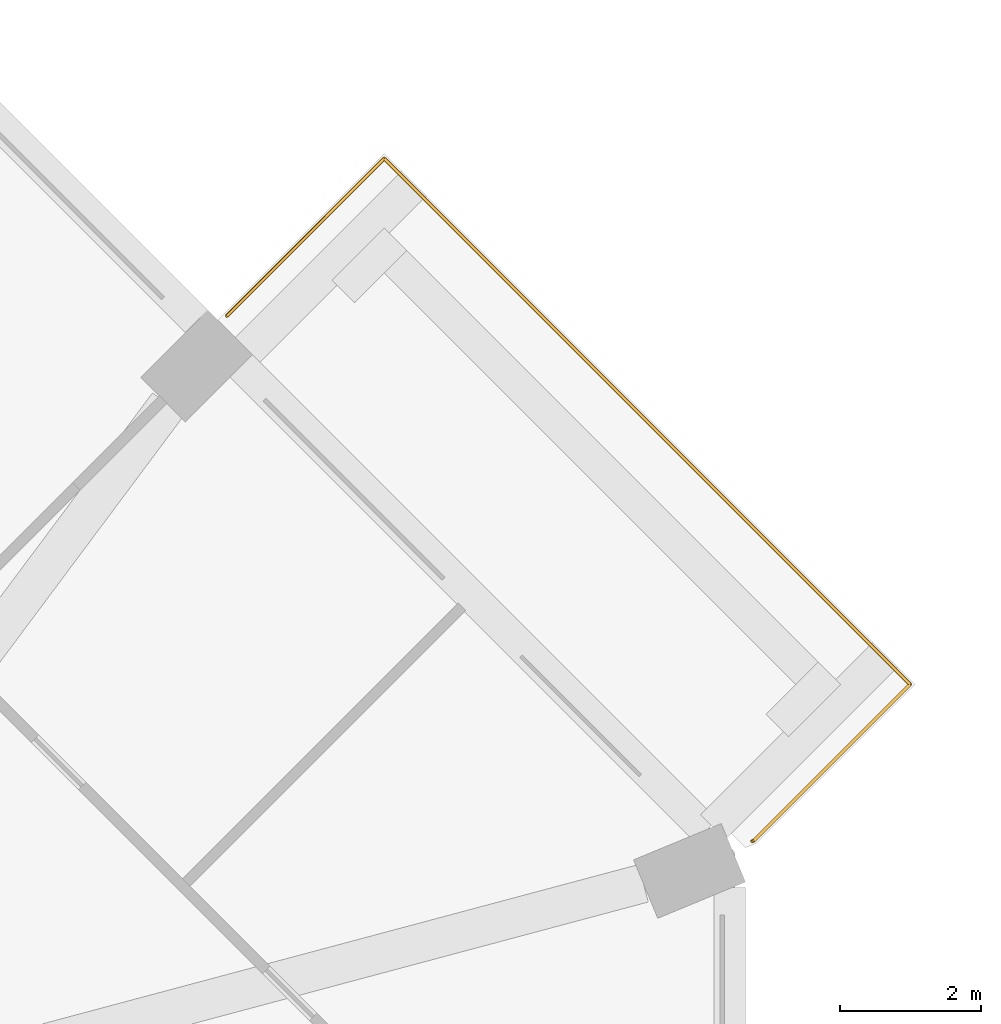
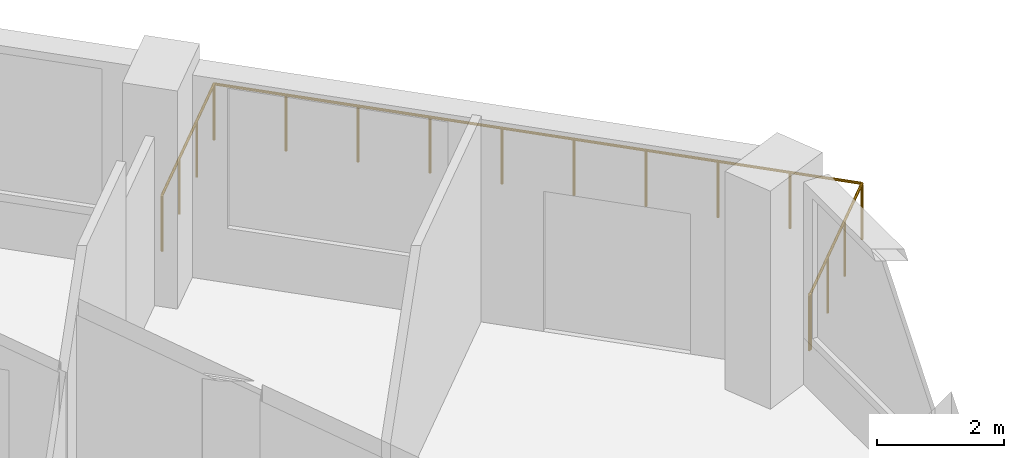
# One storey, part 13 of 13: 1 railing.
"""IFC4 building model written with IfcOpenShell, lengths in metres."""

import ifcopenshell
import ifcopenshell.guid

model = None  # the IFC model being written
_history = None  # IfcOwnerHistory: only IFC2X3 demands one
_inside = {}  # id of a spatial element -> (the spatial element, [elements in it])
_under = {}  # id of a project, library or spatial element -> (it, [spatial elements below it])
_declared = {}  # id of a project -> (the project, [libraries it declares])
_typed = {}  # id of a type object -> (the type object, [elements of that type])
_made_of = {}  # id of a material, layer set ... -> (it, [elements and type objects made of it])


def new_model(schema):
    """Start an empty IFC model of exactly this schema.

    Asked for "IFC4X3", IfcOpenShell would pick the latest addendum, in which some entities
    have other attributes; the version numbers below select the first issue.
    IFC2X3 requires an IfcOwnerHistory on every rooted entity: one is made here for all.
    """
    global model, _history
    if schema == "IFC4X3":
        model = ifcopenshell.file(schema_version=(4, 3, 0, 0))
    else:
        model = ifcopenshell.file(schema=schema)
    _inside.clear()
    _under.clear()
    _declared.clear()
    _typed.clear()
    _made_of.clear()
    _history = None
    if model.schema == "IFC2X3":
        org = make("IfcOrganization", Name="unknown")
        user = make(
            "IfcPersonAndOrganization",
            ThePerson=make("IfcPerson", FamilyName="unknown"),
            TheOrganization=org,
        )
        app = make(
            "IfcApplication",
            ApplicationDeveloper=org,
            Version="unknown",
            ApplicationFullName="unknown",
            ApplicationIdentifier="unknown",
        )
        _history = make(
            "IfcOwnerHistory",
            OwningUser=user,
            OwningApplication=app,
            ChangeAction="ADDED",
            CreationDate=0,
        )
    return model


def make(cls, **values):
    """One entity of the class cls with the attributes given. An attribute that is None is left unset."""
    return model.create_entity(
        cls, **{name: value for name, value in values.items() if value is not None}
    )


def rooted(cls, **values):
    """An entity with a GlobalId (a new one), such as an element, a storey or a relation."""
    return make(cls, GlobalId=ifcopenshell.guid.new(), OwnerHistory=_history, **values)


def si_unit(unit_type, name, prefix=None):
    """IfcSIUnit, for example si_unit("LENGTHUNIT", "METRE", prefix="MILLI")."""
    return make("IfcSIUnit", UnitType=unit_type, Prefix=prefix, Name=name)


def assignment(units):
    """IfcUnitAssignment: the units of a project."""
    return None if units is None else make("IfcUnitAssignment", Units=units)


def point(xyz):
    """IfcCartesianPoint."""
    return None if xyz is None else make("IfcCartesianPoint", Coordinates=xyz)


def direction(xyz):
    """IfcDirection."""
    return None if xyz is None else make("IfcDirection", DirectionRatios=xyz)


def frame(location, z_axis=None, x_axis=None):
    """IfcAxis2Placement3D, a coordinate frame: its origin and axes. An axis left out is left unset."""
    return make(
        "IfcAxis2Placement3D",
        Location=point(location),
        Axis=direction(z_axis),
        RefDirection=direction(x_axis),
    )


def frame_2d(location, x_axis=None):
    """IfcAxis2Placement2D, a coordinate frame in the plane: its origin and x axis."""
    return make(
        "IfcAxis2Placement2D", Location=point(location), RefDirection=direction(x_axis)
    )


def origin():
    """The frame at (0, 0, 0) with its axes left unset."""
    return frame((0.0, 0.0, 0.0))


def origin_2d():
    """The frame at (0, 0) in the plane with its x axis left unset."""
    return frame_2d((0.0, 0.0))


def place(relative_to, where):
    """IfcLocalPlacement: puts the frame where relative to a parent placement (None: the world)."""
    return make(
        "IfcLocalPlacement", PlacementRelTo=relative_to, RelativePlacement=where
    )


def context(
    kind, dimensions, precision=None, world=None, true_north=None, identifier=None
):
    """IfcGeometricRepresentationContext, for example the 3D "Model" context."""
    return make(
        "IfcGeometricRepresentationContext",
        ContextIdentifier=identifier,
        ContextType=kind,
        CoordinateSpaceDimension=dimensions,
        Precision=precision,
        WorldCoordinateSystem=world,
        TrueNorth=true_north,
    )


def subcontext(parent, identifier, kind, view, scale=None):
    """IfcGeometricRepresentationSubContext, for example "Body" below "Model"."""
    return make(
        "IfcGeometricRepresentationSubContext",
        ContextIdentifier=identifier,
        ContextType=kind,
        ParentContext=parent,
        TargetScale=scale,
        TargetView=view,
    )


def project(units=None, contexts=None):
    """IfcProject with its units and contexts."""
    return rooted(
        "IfcProject",
        Name="project",
        RepresentationContexts=contexts,
        UnitsInContext=assignment(units),
    )


def spatial(cls, under=None, at=None, **own):
    """A site, building, storey or space (cls), placed at a placement, below another one or the project."""
    s = rooted(cls, ObjectPlacement=at, **own)
    if under is not None:
        _under.setdefault(under.id(), (under, []))[1].append(s)
    return s


def profile(cls, at=None, kind="AREA", **sizes):
    """A parametric profile (cls). Its sizes go by their IFC names, for example OverallWidth=200.0."""
    return make(cls, ProfileType=kind, Position=at, **sizes)


def circle(**sizes):
    """IfcCircleProfileDef."""
    return profile("IfcCircleProfileDef", **sizes)


def extrude(swept, where, along, depth):
    """IfcExtrudedAreaSolid: the profile swept, set in the frame where, extruded along a direction by depth."""
    return make(
        "IfcExtrudedAreaSolid",
        SweptArea=swept,
        Position=where,
        ExtrudedDirection=direction(along),
        Depth=depth,
    )


def shape(context_of_items, identifier, shape_type, items):
    """IfcShapeRepresentation: the items that make up one representation, for example the "Body"."""
    return make(
        "IfcShapeRepresentation",
        ContextOfItems=context_of_items,
        RepresentationIdentifier=identifier,
        RepresentationType=shape_type,
        Items=items,
    )


def material(Name=None, Category=None):
    """IfcMaterial."""
    return make("IfcMaterial", Name=Name, Category=Category)


def constituent(of_material, Name=None, Category=None, fraction=None):
    """IfcMaterialConstituent: one of the materials an element consists of."""
    return make(
        "IfcMaterialConstituent",
        Name=Name,
        Material=of_material,
        Fraction=fraction,
        Category=Category,
    )


def constituent_set(constituents=None, Name=None):
    """IfcMaterialConstituentSet."""
    return make(
        "IfcMaterialConstituentSet", Name=Name, MaterialConstituents=constituents
    )


def made_of(thing, what):
    """Note that an element or type object is made of a material, layer set ...; save() writes the relation."""
    if what is not None:
        _made_of.setdefault(what.id(), (what, []))[1].append(thing)
    return thing


def type_object(cls, material=None, **own):
    """A type object (cls), such as IfcWallType, which elements share."""
    return made_of(rooted(cls, **own), material)


def element(
    cls,
    number,
    at=None,
    inside=None,
    cuts=None,
    type_object=None,
    material=None,
    context=None,
    identifier="Body",
    shape_type=None,
    held_by="IfcProductDefinitionShape",
    body=None,
    shapes=None,
    **own,
):
    """One element of the class cls, such as IfcWall. Its Tag is "e" and its number.

    at: its placement. inside: the storey or other place that contains it. cuts: it is an
    opening in that element (IfcRelVoidsElement). A single representation is given by context,
    identifier, shape_type and body (its items); several are given by shapes. held_by: the class
    of the entity that holds the representations. save() writes the other relations.
    """
    e = rooted(cls, Tag="e%d" % number, ObjectPlacement=at, **own)
    if body is not None:
        shapes = [shape(context, identifier, shape_type, body)]
    if shapes is not None:
        e.Representation = make(held_by, Representations=shapes)
    if inside is not None:
        _inside.setdefault(inside.id(), (inside, []))[1].append(e)
    if cuts is not None:
        rooted(
            "IfcRelVoidsElement", RelatingBuildingElement=cuts, RelatedOpeningElement=e
        )
    if type_object is not None:
        _typed.setdefault(type_object.id(), (type_object, []))[1].append(e)
    return made_of(e, material)


def aggregate(whole, parts):
    """IfcRelAggregates: a whole, such as a stair, and the parts it consists of."""
    return rooted("IfcRelAggregates", RelatingObject=whole, RelatedObjects=parts)


def save(model, path):
    """Write the relations noted so far, then the file.

    IfcRelAggregates (storeys below a building ...), IfcRelContainedInSpatialStructure (elements
    in a storey), IfcRelDefinesByType, IfcRelAssociatesMaterial and IfcRelDeclares: one each for
    every whole, place, type object, material and project.
    """
    for whole, parts in _under.values():
        aggregate(whole, parts)
    for where, things in _inside.values():
        rooted(
            "IfcRelContainedInSpatialStructure",
            RelatedElements=things,
            RelatingStructure=where,
        )
    for kind, things in _typed.values():
        rooted("IfcRelDefinesByType", RelatedObjects=things, RelatingType=kind)
    for what, things in _made_of.values():
        rooted("IfcRelAssociatesMaterial", RelatedObjects=things, RelatingMaterial=what)
    for by, libraries in _declared.values():
        rooted("IfcRelDeclares", RelatingContext=by, RelatedDefinitions=libraries)
    model.write(path)


model = new_model("IFC4")

# Units and contexts
model_context = context("Model", 3, precision=1e-05, world=origin(), true_north=direction((0.0, 1.0)))
body_context = subcontext(model_context, "Body", "Model", "MODEL_VIEW")
ifc_project = project(units=[si_unit("LENGTHUNIT", "METRE"), si_unit("AREAUNIT", "SQUARE_METRE"), si_unit("VOLUMEUNIT", "CUBIC_METRE"), si_unit("PLANEANGLEUNIT", "RADIAN"), si_unit("MASSUNIT", "GRAM", prefix="KILO")], contexts=[model_context])

# Site, building, storey
site_placement = place(None, origin())
site = spatial("IfcSite", under=ifc_project, at=site_placement, CompositionType="ELEMENT")
building_placement = place(site_placement, origin())
building = spatial("IfcBuilding", under=site, at=building_placement, Name="Msitu Wima Residences", CompositionType="ELEMENT")
storey_placement = place(building_placement, frame((0.0, 0.0, 50.699951171875)))
storey = spatial("IfcBuildingStorey", under=building, at=storey_placement, Name="L11", CompositionType="ELEMENT", Elevation=50.699951171875)

# Railing
ifc_material_1 = material(Name="Steel S355", Category="steel")
ifc_constituent_1 = constituent(ifc_material_1, Name="Steel S355")
ifc_material_2 = material(Name="Weathering patina")
ifc_constituent_2 = constituent(ifc_material_2, Name="Weathering patina")
ifc_constituent_set = constituent_set(constituents=[ifc_constituent_1, ifc_constituent_2], Name="Steel S355")
railing_type = type_object("IfcRailingType", Name="Balcony guard GR1100", PredefinedType="GUARDRAIL", material=ifc_constituent_set)
railing_placement = place(storey_placement, frame((21.86865234375, 22.151611328125, 0.0)))
element("IfcRailing", 1, at=railing_placement, inside=storey, type_object=railing_type, Name="Balcony guard NE0 L11", PredefinedType="GUARDRAIL", context=body_context, shape_type="SweptSolid", body=[
    extrude(circle(Radius=0.02392578125, at=origin_2d()), frame((0.0, 0.0, 1.076171875), z_axis=(0.707145287287, 0.707068272989, 0.0), x_axis=(-0.707068272989, 0.707145287287, 0.0)), (0.0, 0.0, 1.0), 3.170166015625),
    extrude(circle(Radius=0.02392578125, at=origin_2d()), frame((2.24169921875, 2.241455078125, 1.076171875), z_axis=(0.70709524572, -0.707118316465, 0.0), x_axis=(0.707118316465, 0.70709524572, 0.0)), (0.0, 0.0, 1.0), 10.582275390625),
    extrude(circle(Radius=0.02392578125, at=origin_2d()), frame((9.724365234375, -5.241455078125, 1.076171875), z_axis=(-0.707106781187, -0.707106781187, 0.0), x_axis=(0.707106781187, -0.707106781187, 0.0)), (0.0, 0.0, 1.0), 3.136474609375),
    extrude(circle(Radius=0.02392578125, at=origin_2d()), frame((7.506591796875, -7.459228515625, 1.076171875), z_axis=(-0.923276184907, -0.384136806859, 0.0), x_axis=(0.384136806859, -0.923276184907, 0.0)), (0.0, 0.0, 1.0), 0.0361328125),
    extrude(circle(Radius=0.02099609375, at=origin_2d()), origin(), (0.0, 0.0, 1.0), 1.052001953125),
    extrude(circle(Radius=0.02099609375, at=origin_2d()), frame((0.747314453125, 0.7470703125, 0.0)), (0.0, 0.0, 1.0), 1.052001953125),
    extrude(circle(Radius=0.02099609375, at=origin_2d()), frame((1.494384765625, 1.494384765625, 0.0)), (0.0, 0.0, 1.0), 1.052001953125),
    extrude(circle(Radius=0.02099609375, at=origin_2d()), frame((2.24169921875, 2.241455078125, 0.0)), (0.0, 0.0, 1.0), 1.052001953125),
    extrude(circle(Radius=0.02099609375, at=origin_2d()), frame((3.072998046875, 1.409912109375, 0.0)), (0.0, 0.0, 1.0), 1.052001953125),
    extrude(circle(Radius=0.02099609375, at=origin_2d()), frame((3.904541015625, 0.57861328125, 0.0)), (0.0, 0.0, 1.0), 1.052001953125),
    extrude(circle(Radius=0.02099609375, at=origin_2d()), frame((4.73583984375, -0.2529296875, 0.0)), (0.0, 0.0, 1.0), 1.052001953125),
    extrude(circle(Radius=0.02099609375, at=origin_2d()), frame((5.5673828125, -1.084228515625, 0.0)), (0.0, 0.0, 1.0), 1.052001953125),
    extrude(circle(Radius=0.02099609375, at=origin_2d()), frame((6.398681640625, -1.915771484375, 0.0)), (0.0, 0.0, 1.0), 1.052001953125),
    extrude(circle(Radius=0.02099609375, at=origin_2d()), frame((7.230224609375, -2.7470703125, 0.0)), (0.0, 0.0, 1.0), 1.052001953125),
    extrude(circle(Radius=0.02099609375, at=origin_2d()), frame((8.0615234375, -3.57861328125, 0.0)), (0.0, 0.0, 1.0), 1.052001953125),
    extrude(circle(Radius=0.02099609375, at=origin_2d()), frame((8.89306640625, -4.409912109375, 0.0)), (0.0, 0.0, 1.0), 1.052001953125),
    extrude(circle(Radius=0.02099609375, at=origin_2d()), frame((9.724365234375, -5.241455078125, 0.0)), (0.0, 0.0, 1.0), 1.052001953125),
    extrude(circle(Radius=0.02099609375, at=origin_2d()), frame((8.985107421875, -5.980712890625, 0.0)), (0.0, 0.0, 1.0), 1.052001953125),
    extrude(circle(Radius=0.02099609375, at=origin_2d()), frame((8.245849609375, -6.719970703125, 0.0)), (0.0, 0.0, 1.0), 1.052001953125),
    extrude(circle(Radius=0.02099609375, at=origin_2d()), frame((7.506591796875, -7.459228515625, 0.0)), (0.0, 0.0, 1.0), 1.052001953125),
    extrude(circle(Radius=0.02099609375, at=origin_2d()), frame((7.47314453125, -7.47314453125, 0.0)), (0.0, 0.0, 1.0), 1.052001953125),
])

save(model, "model.ifc")
